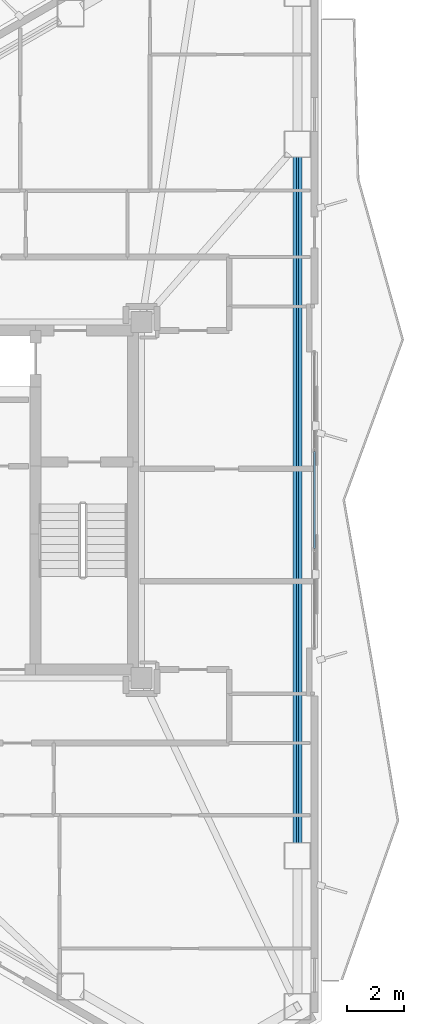
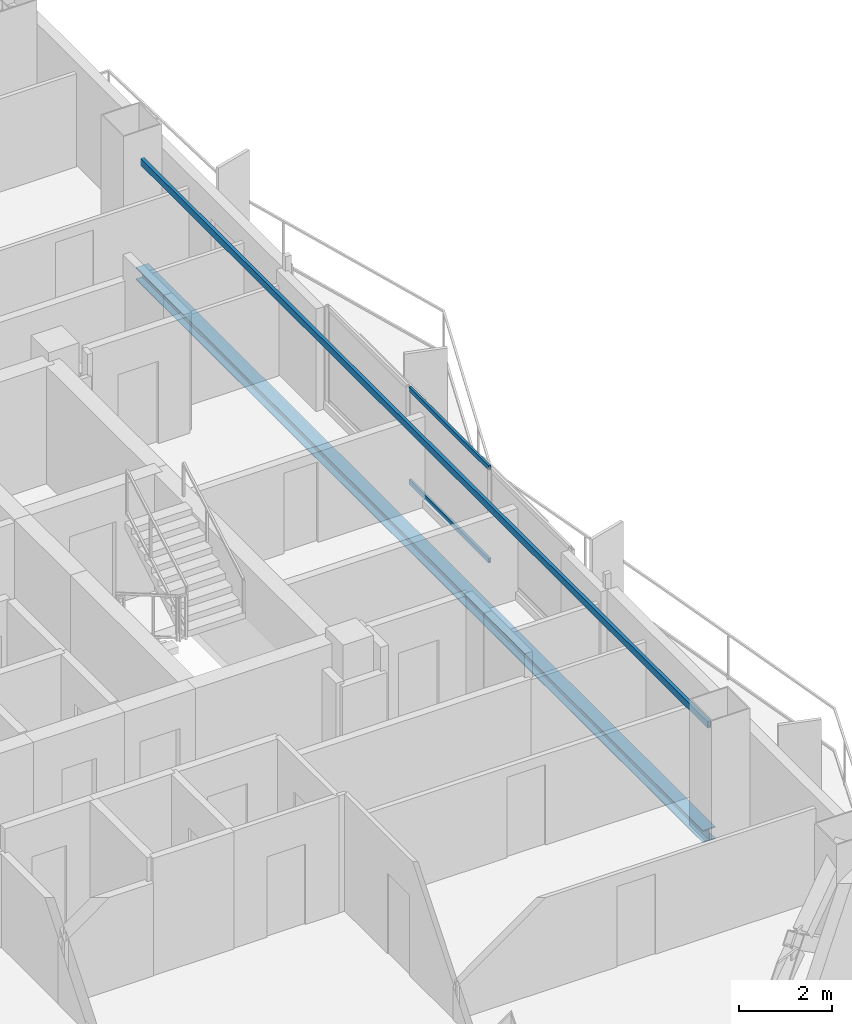
# One storey, part 8 of 19: 2 beams, 2 members, 1 element without a shape of its own.
"""IFC4 building model written with IfcOpenShell, lengths in metres."""

from ifc_helpers import new_model, si_unit, direction, frame, origin, origin_2d, place, context, subcontext, project, spatial, hollow_rectangle, i_section, extrude, material, layer, layer_set, material_profile, profile_set, type_object, element, aggregate, save


model = new_model("IFC4")

# Units and contexts
model_context = context("Model", 3, precision=1e-05, world=origin(), true_north=direction((0.0, 1.0)))
body_context = subcontext(model_context, "Body", "Model", "MODEL_VIEW")
ifc_project = project(units=[si_unit("LENGTHUNIT", "METRE"), si_unit("AREAUNIT", "SQUARE_METRE"), si_unit("VOLUMEUNIT", "CUBIC_METRE"), si_unit("PLANEANGLEUNIT", "RADIAN"), si_unit("MASSUNIT", "GRAM", prefix="KILO")], contexts=[model_context])

# Site, building, storey
site_placement = place(None, origin())
site = spatial("IfcSite", under=ifc_project, at=site_placement, CompositionType="ELEMENT")
building_placement = place(site_placement, origin())
building = spatial("IfcBuilding", under=site, at=building_placement, Name="Mersakhor Tower and Convention Hall", CompositionType="ELEMENT")
storey_placement = place(building_placement, frame((0.0, 0.0, 124.5)))
storey = spatial("IfcBuildingStorey", under=building, at=storey_placement, Name="L34", CompositionType="ELEMENT", Elevation=124.5)

# Beams
ifc_material_1 = material(Name="Steel S355", Category="steel")
ifc_material_profile_1 = material_profile(ifc_material_1, hollow_rectangle(XDim=0.080078125, YDim=0.179931640625, WallThickness=0.008056640625, at=origin_2d()), Name="RHS 180x80x8")
ifc_profile_set_1 = profile_set([ifc_material_profile_1], Name="Steel S355")
beam_type_1 = type_object("IfcBeamType", Name="BM-GRT-RHS180", PredefinedType="USERDEFINED", material=ifc_profile_set_1)
beam_1_placement = place(storey_placement, frame((41.619140625, 38.8837890625, 2.47998046875), z_axis=(0.0, -1.0, 0.0), x_axis=(1.0, 0.0, 0.0)))
element("IfcBeam", 1, at=beam_1_placement, inside=storey, type_object=beam_type_1, Name="L34 Facade Support Girt GRT-F2", ObjectType="GIRT", PredefinedType="USERDEFINED", context=body_context, shape_type="SweptSolid", body=[
    extrude(hollow_rectangle(XDim=0.080078125, YDim=0.179931640625, WallThickness=0.008056640625, at=origin_2d()), origin(), (0.0, 0.0, 1.0), 24.267578125),
])
ifc_material_2 = material(Name="Steel S355", Category="steel")
ifc_material_profile_2 = material_profile(ifc_material_2, i_section(OverallWidth=0.30908203125, OverallDepth=0.320556640625, WebThickness=0.013916015625, FlangeThickness=0.021728515625, at=origin_2d()), Name="UC 305x305x137")
ifc_profile_set_2 = profile_set([ifc_material_profile_2], Name="Steel S355")
beam_type_2 = type_object("IfcBeamType", Name="BM-SPD-UC305", PredefinedType="SPANDREL", material=ifc_profile_set_2)
beam_2_placement = place(storey_placement, frame((41.619140625, 38.8837890625, -0.400146484375), z_axis=(0.0, -1.0, 0.0), x_axis=(1.0, 0.0, 0.0)))
element("IfcBeam", 2, at=beam_2_placement, inside=storey, type_object=beam_type_2, Name="L34 Perimeter Spandrel Beam SPB-06", PredefinedType="SPANDREL", context=body_context, shape_type="SweptSolid", body=[
    extrude(i_section(OverallWidth=0.30908203125, OverallDepth=0.320556640625, WebThickness=0.013916015625, FlangeThickness=0.021728515625, at=origin_2d()), origin(), (0.0, 0.0, 1.0), 24.267578125),
])

# Curtain wall, members
ifc_material_3 = material(Name="Dark solar low-E aluminium curtain wall", Category="aluminium")
ifc_layer = layer(ifc_material_3, 0.169921875)
ifc_layer_set = layer_set([ifc_layer], Name="Dark solar low-E aluminium curtain wall")
curtain_wall_type = type_object("IfcCurtainWallType", Name="CW-SYS-02", PredefinedType="USERDEFINED", material=ifc_layer_set)
curtain_wall_placement = place(storey_placement, origin())
curtain_wall = element("IfcCurtainWall", 3, at=curtain_wall_placement, inside=storey, type_object=curtain_wall_type, Name="L34 Dark-Glass Curtain Wall F2-B2", ObjectType="CURTAIN WALL", PredefinedType="USERDEFINED")
ifc_material_4 = material(Name="Anodised aluminium EN AW-6063 T6", Category="aluminium")
ifc_material_profile_3 = material_profile(ifc_material_4, hollow_rectangle(XDim=0.06005859375, YDim=0.1201171875, WallThickness=0.0048828125, at=origin_2d()), Name="RHS 120x60x5")
ifc_profile_set_3 = profile_set([ifc_material_profile_3], Name="Anodised aluminium EN AW-6063 T6")
member_type = type_object("IfcMemberType", Name="CWT-120x60", PredefinedType="USERDEFINED", material=ifc_profile_set_3)
member_1_placement = place(storey_placement, frame((42.21923828125, 28.460205078125, 0.22998046875), z_axis=(0.0, -1.0, 0.0), x_axis=(1.0, 0.0, 0.0)))
member_1 = element("IfcMember", 4, at=member_1_placement, type_object=member_type, Name="CW-02 transom 2.1", ObjectType="TRANSOM", PredefinedType="USERDEFINED", context=body_context, shape_type="SweptSolid", body=[
    extrude(hollow_rectangle(XDim=0.06005859375, YDim=0.1201171875, WallThickness=0.0048828125, at=origin_2d()), origin(), (0.0, 0.0, 1.0), 3.42041015625),
])
member_2_placement = place(storey_placement, frame((42.21923828125, 28.460205078125, 2.64990234375), z_axis=(0.0, -1.0, 0.0), x_axis=(1.0, 0.0, 0.0)))
member_2 = element("IfcMember", 5, at=member_2_placement, type_object=member_type, Name="CW-02 transom 2.2", ObjectType="TRANSOM", PredefinedType="USERDEFINED", context=body_context, shape_type="SweptSolid", body=[
    extrude(hollow_rectangle(XDim=0.06005859375, YDim=0.1201171875, WallThickness=0.0048828125, at=origin_2d()), origin(), (0.0, 0.0, 1.0), 3.42041015625),
])
aggregate(curtain_wall, [member_1, member_2])

save(model, "model.ifc")
